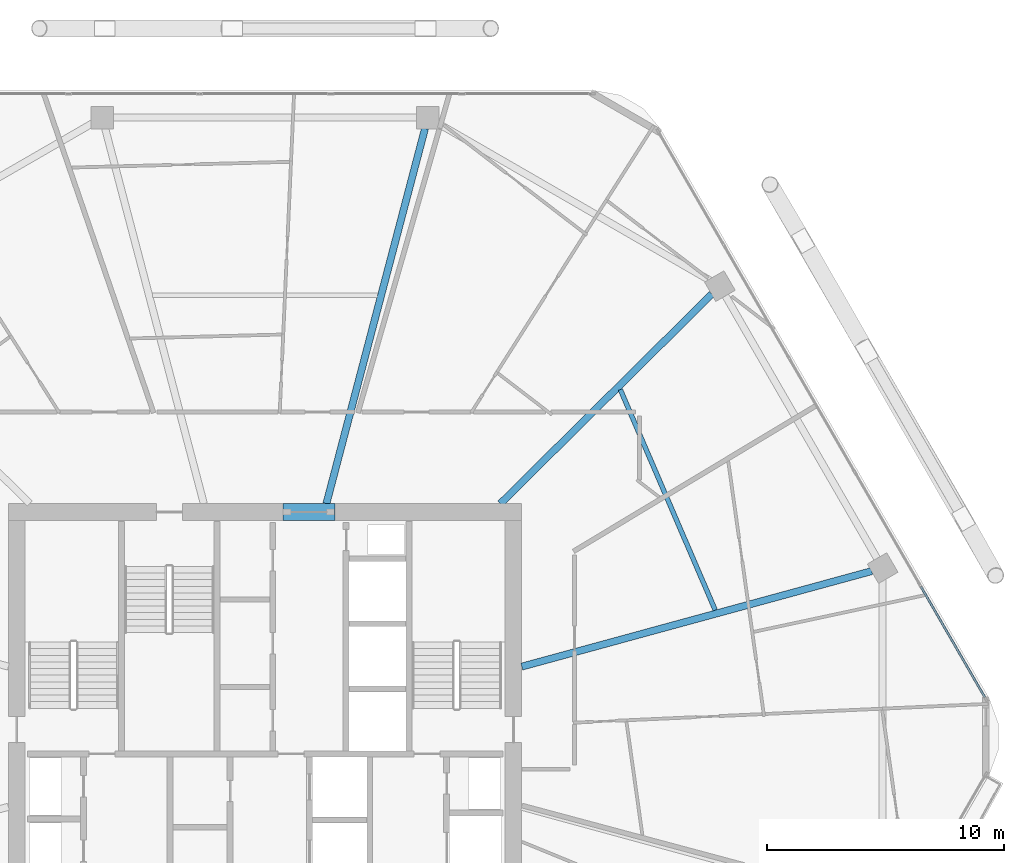
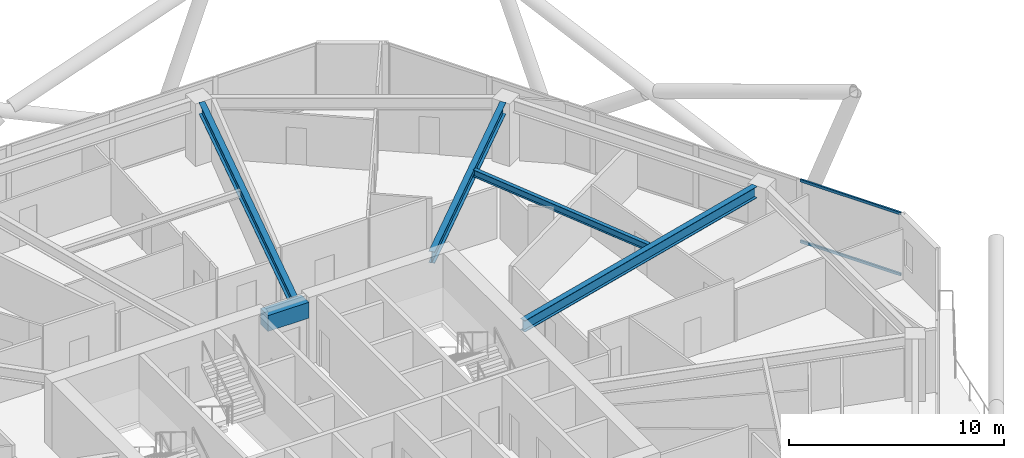
# One storey, part 15 of 28: 5 beams, 2 members, 1 element without a shape of its own.
"""IFC4 building model written with IfcOpenShell, lengths in metres."""

from ifc_helpers import new_model, si_unit, direction, frame, origin, origin_2d, place, context, subcontext, project, spatial, rectangle, hollow_rectangle, i_section, extrude, material, material_profile, profile_set, type_object, element, aggregate, save


model = new_model("IFC4")

# Units and contexts
model_context = context("Model", 3, precision=1e-05, world=origin(), true_north=direction((0.0, 1.0)))
body_context = subcontext(model_context, "Body", "Model", "MODEL_VIEW")
ifc_project = project(units=[si_unit("LENGTHUNIT", "METRE"), si_unit("AREAUNIT", "SQUARE_METRE"), si_unit("VOLUMEUNIT", "CUBIC_METRE"), si_unit("PLANEANGLEUNIT", "RADIAN"), si_unit("MASSUNIT", "GRAM", prefix="KILO")], contexts=[model_context])

# Site, building, storey
site_placement = place(None, origin())
site = spatial("IfcSite", under=ifc_project, at=site_placement, CompositionType="ELEMENT")
building_placement = place(site_placement, origin())
building = spatial("IfcBuilding", under=site, at=building_placement, Name="Zuhravey Tower", CompositionType="ELEMENT")
storey_placement = place(building_placement, frame((0.0, 0.0, 199.800048828125)))
storey = spatial("IfcBuildingStorey", under=building, at=storey_placement, Name="L50", CompositionType="ELEMENT", Elevation=199.800048828125)

# Beam
ifc_material_1 = material(Name="Concrete C60/75", Category="concrete")
ifc_material_profile_1 = material_profile(ifc_material_1, rectangle(XDim=0.699951171875, YDim=0.89990234375, at=origin_2d()), Name="RC-700x900")
ifc_profile_set_1 = profile_set([ifc_material_profile_1], Name="Concrete C60/75")
beam_type_1 = type_object("IfcBeamType", Name="Core Coupling Beam RC700x900", PredefinedType="LINTEL", material=ifc_profile_set_1)
beam_1_placement = place(storey_placement, frame((36.751953125, 41.5, 3.099853515625), z_axis=(1.0, 0.0, 0.0), x_axis=(0.0, 1.0, 0.0)))
element("IfcBeam", 1, at=beam_1_placement, inside=storey, type_object=beam_type_1, Name="L50 CB1 BM-L50-CB-N", PredefinedType="LINTEL", context=body_context, shape_type="SweptSolid", body=[
    extrude(rectangle(XDim=0.699951171875, YDim=0.89990234375, at=origin_2d()), origin(), (0.0, 0.0, 1.0), 2.196044921875),
])

# Curtain wall, members
ifc_material_2 = material(Name="Thermally broken anodised aluminium", Category="aluminium")
curtain_wall_type = type_object("IfcCurtainWallType", Name="Zone 1-2 Residential Curtain Wall CW3", PredefinedType="NOTDEFINED", material=ifc_material_2)
curtain_wall_placement = place(storey_placement, origin())
curtain_wall = element("IfcCurtainWall", 2, at=curtain_wall_placement, inside=storey, type_object=curtain_wall_type, Name="L50 CW3 CW-L50-F1-1", PredefinedType="NOTDEFINED")
ifc_material_3 = material(Name="Anodised aluminium", Category="aluminium")
ifc_material_profile_2 = material_profile(ifc_material_3, hollow_rectangle(XDim=0.090087890625, YDim=0.14990234375, WallThickness=0.0048828125, at=origin_2d()), Name="ALU-RHS-90x150x5")
ifc_profile_set_2 = profile_set([ifc_material_profile_2], Name="Anodised aluminium")
member_type = type_object("IfcMemberType", Name="Curtain-Wall Transom 90x150", PredefinedType="USERDEFINED", material=ifc_profile_set_2)
member_1_placement = place(storey_placement, frame((63.72216796875, 38.35009765625, 0.044921875), z_axis=(0.499993332629, -0.866029253159, 0.0), x_axis=(0.866029253159, 0.499993332629, 0.0)))
member_1 = element("IfcMember", 3, at=member_1_placement, type_object=member_type, Name="CW3 transom 5.1", ObjectType="TRANSOM", PredefinedType="USERDEFINED", context=body_context, shape_type="SweptSolid", body=[
    extrude(hollow_rectangle(XDim=0.090087890625, YDim=0.14990234375, WallThickness=0.0048828125, at=origin_2d()), origin(), (0.0, 0.0, 1.0), 5.4091796875),
])
member_2_placement = place(storey_placement, frame((63.72216796875, 38.35009765625, 3.5048828125), z_axis=(0.499993332629, -0.866029253159, 0.0), x_axis=(0.866029253159, 0.499993332629, 0.0)))
member_2 = element("IfcMember", 4, at=member_2_placement, type_object=member_type, Name="CW3 transom 5.2", ObjectType="TRANSOM", PredefinedType="USERDEFINED", context=body_context, shape_type="SweptSolid", body=[
    extrude(hollow_rectangle(XDim=0.090087890625, YDim=0.14990234375, WallThickness=0.0048828125, at=origin_2d()), origin(), (0.0, 0.0, 1.0), 5.4091796875),
])
aggregate(curtain_wall, [member_1, member_2])

# Beams
ifc_material_4 = material(Name="Steel SM355", Category="steel")
ifc_material_profile_3 = material_profile(ifc_material_4, i_section(OverallWidth=0.300048828125, OverallDepth=0.64990234375, WebThickness=0.012939453125, FlangeThickness=0.02197265625, at=origin_2d()), Name="H-650x300x13x22")
ifc_profile_set_3 = profile_set([ifc_material_profile_3], Name="Steel SM355")
beam_type_2 = type_object("IfcBeamType", Name="Radial Primary Girder H650x300", PredefinedType="BEAM", material=ifc_profile_set_3)
beam_2_placement = place(storey_placement, frame((46.85302734375, 34.96240234375, 3.224853515625), z_axis=(0.964701703464, 0.263345065139, 0.0), x_axis=(-0.263345065139, 0.964701703464, 0.0)))
element("IfcBeam", 5, at=beam_2_placement, inside=storey, type_object=beam_type_2, Name="L50 RG2 BM-L50-RAD-01", PredefinedType="BEAM", context=body_context, shape_type="SweptSolid", body=[
    extrude(i_section(OverallWidth=0.300048828125, OverallDepth=0.64990234375, WebThickness=0.012939453125, FlangeThickness=0.02197265625, at=origin_2d()), origin(), (0.0, 0.0, 1.0), 15.334716796875),
])
beam_3_placement = place(storey_placement, frame((45.945556640625, 41.85302734375, 3.224853515625), z_axis=(0.710406645816, 0.703791444663, 0.0), x_axis=(-0.703791444663, 0.710406645816, 0.0)))
element("IfcBeam", 6, at=beam_3_placement, inside=storey, type_object=beam_type_2, Name="L50 RG2 BM-L50-RAD-02", PredefinedType="BEAM", context=body_context, shape_type="SweptSolid", body=[
    extrude(i_section(OverallWidth=0.300048828125, OverallDepth=0.64990234375, WebThickness=0.012939453125, FlangeThickness=0.02197265625, at=origin_2d()), origin(), (0.0, 0.0, 1.0), 12.5849609375),
])
beam_4_placement = place(storey_placement, frame((38.5908203125, 41.85302734375, 3.224853515625), z_axis=(0.254299806285, 0.967125435775, 0.0), x_axis=(-0.967125435775, 0.254299806285, 0.0)))
element("IfcBeam", 7, at=beam_4_placement, inside=storey, type_object=beam_type_2, Name="L50 RG2 BM-L50-RAD-03", PredefinedType="BEAM", context=body_context, shape_type="SweptSolid", body=[
    extrude(i_section(OverallWidth=0.300048828125, OverallDepth=0.64990234375, WebThickness=0.012939453125, FlangeThickness=0.02197265625, at=origin_2d()), origin(), (0.0, 0.0, 1.0), 16.396728515625),
])
ifc_material_profile_4 = material_profile(ifc_material_4, i_section(OverallWidth=0.199951171875, OverallDepth=0.39990234375, WebThickness=0.008056640625, FlangeThickness=0.012939453125, at=origin_2d()), Name="H-400x200x8x13")
ifc_profile_set_4 = profile_set([ifc_material_profile_4], Name="Steel SM355")
beam_type_3 = type_object("IfcBeamType", Name="Secondary Floor Joist H400x200", PredefinedType="JOIST", material=ifc_profile_set_4)
beam_5_placement = place(storey_placement, frame((55.029541015625, 37.3525390625, 3.349853515625), z_axis=(-0.395265853487, 0.918566766799, 0.0), x_axis=(-0.918566766799, -0.395265853487, 0.0)))
element("IfcBeam", 8, at=beam_5_placement, inside=storey, type_object=beam_type_3, Name="L50 SJ2 BM-L50-SJ-01-1", PredefinedType="JOIST", context=body_context, shape_type="SweptSolid", body=[
    extrude(i_section(OverallWidth=0.199951171875, OverallDepth=0.39990234375, WebThickness=0.008056640625, FlangeThickness=0.012939453125, at=origin_2d()), origin(), (0.0, 0.0, 1.0), 10.150146484375),
])

save(model, "model.ifc")
